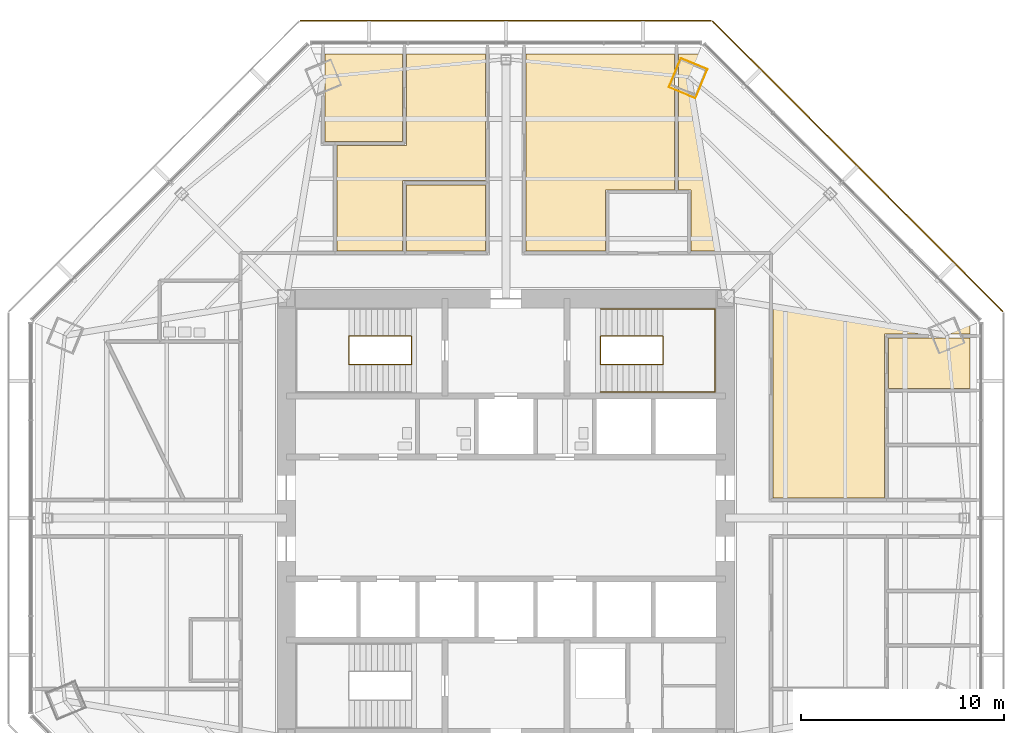
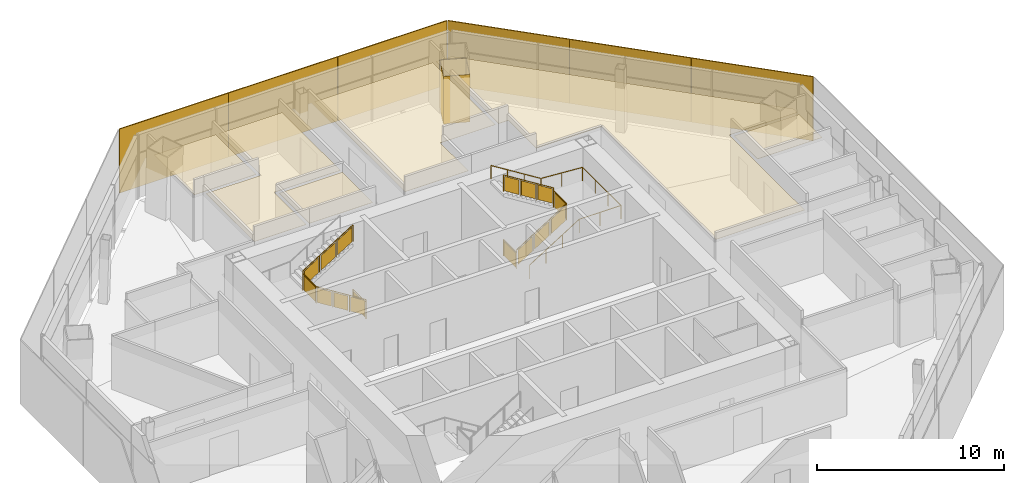
# One storey, part 14 of 15: 7 coverings, 6 shading devices, 3 railings.
"""IFC4 building model written with IfcOpenShell, lengths in metres."""

import ifcopenshell
import ifcopenshell.guid

model = None  # the IFC model being written
_history = None  # IfcOwnerHistory: only IFC2X3 demands one
_inside = {}  # id of a spatial element -> (the spatial element, [elements in it])
_under = {}  # id of a project, library or spatial element -> (it, [spatial elements below it])
_declared = {}  # id of a project -> (the project, [libraries it declares])
_typed = {}  # id of a type object -> (the type object, [elements of that type])
_made_of = {}  # id of a material, layer set ... -> (it, [elements and type objects made of it])


def new_model(schema):
    """Start an empty IFC model of exactly this schema.

    Asked for "IFC4X3", IfcOpenShell would pick the latest addendum, in which some entities
    have other attributes; the version numbers below select the first issue.
    IFC2X3 requires an IfcOwnerHistory on every rooted entity: one is made here for all.
    """
    global model, _history
    if schema == "IFC4X3":
        model = ifcopenshell.file(schema_version=(4, 3, 0, 0))
    else:
        model = ifcopenshell.file(schema=schema)
    _inside.clear()
    _under.clear()
    _declared.clear()
    _typed.clear()
    _made_of.clear()
    _history = None
    if model.schema == "IFC2X3":
        org = make("IfcOrganization", Name="unknown")
        user = make(
            "IfcPersonAndOrganization",
            ThePerson=make("IfcPerson", FamilyName="unknown"),
            TheOrganization=org,
        )
        app = make(
            "IfcApplication",
            ApplicationDeveloper=org,
            Version="unknown",
            ApplicationFullName="unknown",
            ApplicationIdentifier="unknown",
        )
        _history = make(
            "IfcOwnerHistory",
            OwningUser=user,
            OwningApplication=app,
            ChangeAction="ADDED",
            CreationDate=0,
        )
    return model


def make(cls, **values):
    """One entity of the class cls with the attributes given. An attribute that is None is left unset."""
    return model.create_entity(
        cls, **{name: value for name, value in values.items() if value is not None}
    )


def rooted(cls, **values):
    """An entity with a GlobalId (a new one), such as an element, a storey or a relation."""
    return make(cls, GlobalId=ifcopenshell.guid.new(), OwnerHistory=_history, **values)


def si_unit(unit_type, name, prefix=None):
    """IfcSIUnit, for example si_unit("LENGTHUNIT", "METRE", prefix="MILLI")."""
    return make("IfcSIUnit", UnitType=unit_type, Prefix=prefix, Name=name)


def assignment(units):
    """IfcUnitAssignment: the units of a project."""
    return None if units is None else make("IfcUnitAssignment", Units=units)


def point(xyz):
    """IfcCartesianPoint."""
    return None if xyz is None else make("IfcCartesianPoint", Coordinates=xyz)


def direction(xyz):
    """IfcDirection."""
    return None if xyz is None else make("IfcDirection", DirectionRatios=xyz)


def frame(location, z_axis=None, x_axis=None):
    """IfcAxis2Placement3D, a coordinate frame: its origin and axes. An axis left out is left unset."""
    return make(
        "IfcAxis2Placement3D",
        Location=point(location),
        Axis=direction(z_axis),
        RefDirection=direction(x_axis),
    )


def frame_2d(location, x_axis=None):
    """IfcAxis2Placement2D, a coordinate frame in the plane: its origin and x axis."""
    return make(
        "IfcAxis2Placement2D", Location=point(location), RefDirection=direction(x_axis)
    )


def origin():
    """The frame at (0, 0, 0) with its axes left unset."""
    return frame((0.0, 0.0, 0.0))


def origin_2d():
    """The frame at (0, 0) in the plane with its x axis left unset."""
    return frame_2d((0.0, 0.0))


def place(relative_to, where):
    """IfcLocalPlacement: puts the frame where relative to a parent placement (None: the world)."""
    return make(
        "IfcLocalPlacement", PlacementRelTo=relative_to, RelativePlacement=where
    )


def context(
    kind, dimensions, precision=None, world=None, true_north=None, identifier=None
):
    """IfcGeometricRepresentationContext, for example the 3D "Model" context."""
    return make(
        "IfcGeometricRepresentationContext",
        ContextIdentifier=identifier,
        ContextType=kind,
        CoordinateSpaceDimension=dimensions,
        Precision=precision,
        WorldCoordinateSystem=world,
        TrueNorth=true_north,
    )


def subcontext(parent, identifier, kind, view, scale=None):
    """IfcGeometricRepresentationSubContext, for example "Body" below "Model"."""
    return make(
        "IfcGeometricRepresentationSubContext",
        ContextIdentifier=identifier,
        ContextType=kind,
        ParentContext=parent,
        TargetScale=scale,
        TargetView=view,
    )


def project(units=None, contexts=None):
    """IfcProject with its units and contexts."""
    return rooted(
        "IfcProject",
        Name="project",
        RepresentationContexts=contexts,
        UnitsInContext=assignment(units),
    )


def spatial(cls, under=None, at=None, **own):
    """A site, building, storey or space (cls), placed at a placement, below another one or the project."""
    s = rooted(cls, ObjectPlacement=at, **own)
    if under is not None:
        _under.setdefault(under.id(), (under, []))[1].append(s)
    return s


def polyline(points):
    """IfcPolyline through the points."""
    return make("IfcPolyline", Points=[point(p) for p in points])


def profile(cls, at=None, kind="AREA", **sizes):
    """A parametric profile (cls). Its sizes go by their IFC names, for example OverallWidth=200.0."""
    return make(cls, ProfileType=kind, Position=at, **sizes)


def rectangle(**sizes):
    """IfcRectangleProfileDef."""
    return profile("IfcRectangleProfileDef", **sizes)


def circle(**sizes):
    """IfcCircleProfileDef."""
    return profile("IfcCircleProfileDef", **sizes)


def outline(outer, holes=None, kind="AREA"):
    """IfcArbitraryClosedProfileDef: a profile drawn as a closed curve; with holes, ...WithVoids."""
    if holes is None:
        return make("IfcArbitraryClosedProfileDef", ProfileType=kind, OuterCurve=outer)
    return make(
        "IfcArbitraryProfileDefWithVoids",
        ProfileType=kind,
        OuterCurve=outer,
        InnerCurves=holes,
    )


def extrude(swept, where, along, depth):
    """IfcExtrudedAreaSolid: the profile swept, set in the frame where, extruded along a direction by depth."""
    return make(
        "IfcExtrudedAreaSolid",
        SweptArea=swept,
        Position=where,
        ExtrudedDirection=direction(along),
        Depth=depth,
    )


def shape(context_of_items, identifier, shape_type, items):
    """IfcShapeRepresentation: the items that make up one representation, for example the "Body"."""
    return make(
        "IfcShapeRepresentation",
        ContextOfItems=context_of_items,
        RepresentationIdentifier=identifier,
        RepresentationType=shape_type,
        Items=items,
    )


def source(mapping_origin, context_of_items, identifier, shape_type, items):
    """IfcRepresentationMap: a shape defined once, which mapped items show again and again."""
    return make(
        "IfcRepresentationMap",
        MappingOrigin=mapping_origin,
        MappedRepresentation=shape(context_of_items, identifier, shape_type, items),
    )


def transform(
    local_origin,
    x_axis=None,
    y_axis=None,
    z_axis=None,
    scale=None,
    scale2=None,
    scale3=None,
    uniform=True,
):
    """IfcCartesianTransformationOperator3D, or its non-uniform kind. x_axis, y_axis, z_axis: its Axis1, 2, 3."""
    if uniform:
        return make(
            "IfcCartesianTransformationOperator3D",
            Axis1=direction(x_axis),
            Axis2=direction(y_axis),
            LocalOrigin=point(local_origin),
            Scale=scale,
            Axis3=direction(z_axis),
        )
    return make(
        "IfcCartesianTransformationOperator3DnonUniform",
        Axis1=direction(x_axis),
        Axis2=direction(y_axis),
        LocalOrigin=point(local_origin),
        Scale=scale,
        Axis3=direction(z_axis),
        Scale2=scale2,
        Scale3=scale3,
    )


def mapped(mapping_source, mapping_target):
    """IfcMappedItem: shows the shape of a source again, moved by a transform."""
    return make(
        "IfcMappedItem", MappingSource=mapping_source, MappingTarget=mapping_target
    )


def material(Name=None, Category=None):
    """IfcMaterial."""
    return make("IfcMaterial", Name=Name, Category=Category)


def layer(
    of_material, thickness, ventilated=None, Name=None, Category=None, Priority=None
):
    """IfcMaterialLayer: one layer of a wall or slab, of a material (None: an air gap)."""
    return make(
        "IfcMaterialLayer",
        Material=of_material,
        LayerThickness=thickness,
        IsVentilated=ventilated,
        Name=Name,
        Category=Category,
        Priority=Priority,
    )


def layer_set(layers, Name=None):
    """IfcMaterialLayerSet."""
    return make("IfcMaterialLayerSet", MaterialLayers=layers, LayerSetName=Name)


def made_of(thing, what):
    """Note that an element or type object is made of a material, layer set ...; save() writes the relation."""
    if what is not None:
        _made_of.setdefault(what.id(), (what, []))[1].append(thing)
    return thing


def type_object(cls, material=None, **own):
    """A type object (cls), such as IfcWallType, which elements share."""
    return made_of(rooted(cls, **own), material)


def type_shapes(of_type, sources):
    """Give a type object the sources (RepresentationMaps) that its elements show as mapped items."""
    of_type.RepresentationMaps = sources


def element(
    cls,
    number,
    at=None,
    inside=None,
    cuts=None,
    type_object=None,
    material=None,
    context=None,
    identifier="Body",
    shape_type=None,
    held_by="IfcProductDefinitionShape",
    body=None,
    shapes=None,
    **own,
):
    """One element of the class cls, such as IfcWall. Its Tag is "e" and its number.

    at: its placement. inside: the storey or other place that contains it. cuts: it is an
    opening in that element (IfcRelVoidsElement). A single representation is given by context,
    identifier, shape_type and body (its items); several are given by shapes. held_by: the class
    of the entity that holds the representations. save() writes the other relations.
    """
    e = rooted(cls, Tag="e%d" % number, ObjectPlacement=at, **own)
    if body is not None:
        shapes = [shape(context, identifier, shape_type, body)]
    if shapes is not None:
        e.Representation = make(held_by, Representations=shapes)
    if inside is not None:
        _inside.setdefault(inside.id(), (inside, []))[1].append(e)
    if cuts is not None:
        rooted(
            "IfcRelVoidsElement", RelatingBuildingElement=cuts, RelatedOpeningElement=e
        )
    if type_object is not None:
        _typed.setdefault(type_object.id(), (type_object, []))[1].append(e)
    return made_of(e, material)


def aggregate(whole, parts):
    """IfcRelAggregates: a whole, such as a stair, and the parts it consists of."""
    return rooted("IfcRelAggregates", RelatingObject=whole, RelatedObjects=parts)


def save(model, path):
    """Write the relations noted so far, then the file.

    IfcRelAggregates (storeys below a building ...), IfcRelContainedInSpatialStructure (elements
    in a storey), IfcRelDefinesByType, IfcRelAssociatesMaterial and IfcRelDeclares: one each for
    every whole, place, type object, material and project.
    """
    for whole, parts in _under.values():
        aggregate(whole, parts)
    for where, things in _inside.values():
        rooted(
            "IfcRelContainedInSpatialStructure",
            RelatedElements=things,
            RelatingStructure=where,
        )
    for kind, things in _typed.values():
        rooted("IfcRelDefinesByType", RelatedObjects=things, RelatingType=kind)
    for what, things in _made_of.values():
        rooted("IfcRelAssociatesMaterial", RelatedObjects=things, RelatingMaterial=what)
    for by, libraries in _declared.values():
        rooted("IfcRelDeclares", RelatingContext=by, RelatedDefinitions=libraries)
    model.write(path)


model = new_model("IFC4")

# Units and contexts
model_context = context("Model", 3, precision=1e-05, world=origin(), true_north=direction((0.0, 1.0)))
body_context = subcontext(model_context, "Body", "Model", "MODEL_VIEW")
ifc_project = project(units=[si_unit("LENGTHUNIT", "METRE"), si_unit("AREAUNIT", "SQUARE_METRE"), si_unit("VOLUMEUNIT", "CUBIC_METRE"), si_unit("PLANEANGLEUNIT", "RADIAN"), si_unit("MASSUNIT", "GRAM", prefix="KILO")], contexts=[model_context])

# Site, building, storey
site_placement = place(None, origin())
site = spatial("IfcSite", under=ifc_project, at=site_placement, CompositionType="ELEMENT")
building_placement = place(site_placement, origin())
building = spatial("IfcBuilding", under=site, at=building_placement, Name="Mashrafa Tower", CompositionType="ELEMENT")
storey_placement = place(building_placement, frame((0.0, 0.0, 163.800048828125)))
storey = spatial("IfcBuildingStorey", under=building, at=storey_placement, Name="L37", CompositionType="ELEMENT", Elevation=163.800048828125)

# Covering
ifc_material_1 = material(Name="Gypsum board")
ifc_layer_1 = layer(ifc_material_1, 0.014892578125)
ifc_layer_set_1 = layer_set([ifc_layer_1], Name="Column casing plasterboard 15")
covering_type_1 = type_object("IfcCoveringType", Name="Column casing plasterboard 15", PredefinedType="CLADDING", material=ifc_layer_set_1)
covering_1_placement = place(storey_placement, origin())
element("IfcCovering", 1, at=covering_1_placement, inside=storey, type_object=covering_type_1, Name="Column casing L37-001", PredefinedType="CLADDING", context=body_context, shape_type="SweptSolid", body=[
    extrude(outline(polyline([(8.006103515625, 21.19677734375), (8.06103515625, 21.329345703125), (8.602783203125, 22.63720703125), (9.923828125, 22.090087890625), (9.868896484375, 21.95751953125), (9.3271484375, 20.6494140625), (8.006103515625, 21.19677734375)]), holes=[polyline([(9.85498046875, 21.963134765625), (9.904296875, 22.08203125), (8.61083984375, 22.61767578125), (8.074951171875, 21.32373046875), (8.025634765625, 21.204833984375), (9.319091796875, 20.669189453125), (9.85498046875, 21.963134765625)])]), origin(), (0.0, 0.0, 1.0), 3.097900390625),
])

# Railings
ifc_material_2 = material(Name="Steel guard with glass infill", Category="steel")
railing_type_1 = type_object("IfcRailingType", Name="Stair guard 1100", PredefinedType="GUARDRAIL", material=ifc_material_2)
railing_1_placement = place(storey_placement, frame((-4.64990234375, 8.949951171875, 0.0)))
element("IfcRailing", 2, at=railing_1_placement, inside=storey, type_object=railing_type_1, Name="Stair S1 guard L37", PredefinedType="GUARDRAIL", context=body_context, shape_type="SweptSolid", body=[
    extrude(circle(Radius=0.02392578125, at=origin_2d()), frame((0.0, 0.0, 1.076171875), z_axis=(0.0, -1.0, 0.0), x_axis=(1.0, 0.0, 0.0)), (0.0, 0.0, 1.0), 1.39990234375),
    extrude(circle(Radius=0.02392578125, at=origin_2d()), frame((0.0, -1.39990234375, 1.076171875), z_axis=(0.0, 0.0, 1.0), x_axis=(1.0, 0.0, 0.0)), (0.0, 0.0, 1.0), 0.175048828125),
    extrude(circle(Radius=0.02392578125, at=origin_2d()), frame((0.0, -1.39990234375, 1.2509765625), z_axis=(-0.848028513186, 0.0, 0.529950602248), x_axis=(0.0, -1.0, 0.0)), (0.0, 0.0, 1.0), 3.632080078125),
    extrude(circle(Radius=0.02392578125, at=origin_2d()), frame((-3.080078125, -1.39990234375, 3.17578125), z_axis=(0.0, 1.0, 0.0), x_axis=(-1.0, 0.0, 0.0)), (0.0, 0.0, 1.0), 1.39990234375),
    extrude(circle(Radius=0.02392578125, at=origin_2d()), frame((-3.080078125, 0.0, 3.17578125), z_axis=(0.0, 0.0, 1.0), x_axis=(1.0, 0.0, 0.0)), (0.0, 0.0, 1.0), 0.175048828125),
    extrude(circle(Radius=0.02392578125, at=origin_2d()), frame((-3.080078125, 0.0, 3.35107421875), z_axis=(0.847998304005, 0.0, 0.529998940003), x_axis=(0.0, 1.0, 0.0)), (0.0, 0.0, 1.0), 3.632080078125),
    extrude(circle(Radius=0.02099609375, at=origin_2d()), origin(), (0.0, 0.0, 1.0), 1.052001953125),
    extrude(circle(Radius=0.02099609375, at=origin_2d()), frame((0.0, -1.39990234375, 0.0)), (0.0, 0.0, 1.0), 1.052001953125),
    extrude(circle(Radius=0.02099609375, at=origin_2d()), frame((0.0, -1.39990234375, 0.175048828125)), (0.0, 0.0, 1.0), 1.052001953125),
    extrude(circle(Radius=0.02099609375, at=origin_2d()), frame((-1.026611328125, -1.39990234375, 0.816650390625)), (0.0, 0.0, 1.0), 1.052001953125),
    extrude(circle(Radius=0.02099609375, at=origin_2d()), frame((-2.053466796875, -1.39990234375, 1.458251953125)), (0.0, 0.0, 1.0), 1.052001953125),
    extrude(circle(Radius=0.02099609375, at=origin_2d()), frame((-3.080078125, -1.39990234375, 2.099853515625)), (0.0, 0.0, 1.0), 1.052001953125),
    extrude(circle(Radius=0.02099609375, at=origin_2d()), frame((-3.080078125, 0.0, 2.099853515625)), (0.0, 0.0, 1.0), 1.052001953125),
    extrude(circle(Radius=0.02099609375, at=origin_2d()), frame((-3.080078125, 0.0, 2.27490234375)), (0.0, 0.0, 1.0), 1.052001953125),
    extrude(circle(Radius=0.02099609375, at=origin_2d()), frame((-2.053466796875, 0.0, 2.91650390625)), (0.0, 0.0, 1.0), 1.052001953125),
    extrude(circle(Radius=0.02099609375, at=origin_2d()), frame((-1.026611328125, 0.0, 3.558349609375)), (0.0, 0.0, 1.0), 1.052001953125),
    extrude(circle(Radius=0.02099609375, at=origin_2d()), frame((0.0, 0.0, 4.199951171875)), (0.0, 0.0, 1.0), 1.052001953125),
    extrude(outline(polyline([(0.071044921875, 0.050048828125), (1.328857421875, 0.050048828125), (1.328857421875, 1.001953125), (0.071044921875, 1.001953125), (0.071044921875, 0.050048828125)])), frame((-0.006103515625, 0.0, 0.0), z_axis=(-1.0, 0.0, 0.0), x_axis=(0.0, -1.0, 0.0)), (0.0, 0.0, 1.0), 0.011962890625),
    extrude(outline(polyline([(0.071044921875, 0.094482421875), (0.955810546875, 0.647216796875), (0.955810546875, 1.59912109375), (0.071044921875, 1.04638671875), (0.071044921875, 0.094482421875)])), frame((0.0, -1.393798828125, 0.175048828125), z_axis=(0.0, 1.0, 0.0), x_axis=(-1.0, 0.0, 0.0)), (0.0, 0.0, 1.0), 0.011962890625),
    extrude(outline(polyline([(1.09765625, 0.736083984375), (1.982421875, 1.288818359375), (1.982421875, 2.24072265625), (1.09765625, 1.68798828125), (1.09765625, 0.736083984375)])), frame((0.0, -1.393798828125, 0.175048828125), z_axis=(0.0, 1.0, 0.0), x_axis=(-1.0, 0.0, 0.0)), (0.0, 0.0, 1.0), 0.011962890625),
    extrude(outline(polyline([(2.124267578125, 1.377685546875), (3.009033203125, 1.930419921875), (3.009033203125, 2.88232421875), (2.124267578125, 2.32958984375), (2.124267578125, 1.377685546875)])), frame((0.0, -1.393798828125, 0.175048828125), z_axis=(0.0, 1.0, 0.0), x_axis=(-1.0, 0.0, 0.0)), (0.0, 0.0, 1.0), 0.011962890625),
    extrude(outline(polyline([(0.071044921875, 0.050048828125), (1.328857421875, 0.050048828125), (1.328857421875, 1.001953125), (0.071044921875, 1.001953125), (0.071044921875, 0.050048828125)])), frame((-3.073974609375, -1.39990234375, 2.099853515625), z_axis=(1.0, 0.0, 0.0), x_axis=(0.0, 1.0, 0.0)), (0.0, 0.0, 1.0), 0.011962890625),
    extrude(outline(polyline([(0.071044921875, 0.094482421875), (0.955810546875, 0.647216796875), (0.955810546875, 1.599365234375), (0.071044921875, 1.04638671875), (0.071044921875, 0.094482421875)])), frame((-3.080078125, -0.006103515625, 2.27490234375), z_axis=(0.0, -1.0, 0.0), x_axis=(1.0, 0.0, 0.0)), (0.0, 0.0, 1.0), 0.011962890625),
    extrude(outline(polyline([(1.09765625, 0.736083984375), (1.982421875, 1.2890625), (1.982421875, 2.240966796875), (1.09765625, 1.68798828125), (1.09765625, 0.736083984375)])), frame((-3.080078125, -0.006103515625, 2.27490234375), z_axis=(0.0, -1.0, 0.0), x_axis=(1.0, 0.0, 0.0)), (0.0, 0.0, 1.0), 0.011962890625),
    extrude(outline(polyline([(2.124267578125, 1.377685546875), (3.009033203125, 1.9306640625), (3.009033203125, 2.882568359375), (2.124267578125, 2.329833984375), (2.124267578125, 1.377685546875)])), frame((-3.080078125, -0.006103515625, 2.27490234375), z_axis=(0.0, -1.0, 0.0), x_axis=(1.0, 0.0, 0.0)), (0.0, 0.0, 1.0), 0.011962890625),
])
railing_2_placement = place(storey_placement, frame((4.64990234375, 8.949951171875, 0.0)))
element("IfcRailing", 3, at=railing_2_placement, inside=storey, type_object=railing_type_1, Name="Stair S2 guard L37", PredefinedType="GUARDRAIL", context=body_context, shape_type="SweptSolid", body=[
    extrude(circle(Radius=0.02392578125, at=origin_2d()), frame((0.0, 0.0, 1.076171875), z_axis=(0.0, -1.0, 0.0), x_axis=(1.0, 0.0, 0.0)), (0.0, 0.0, 1.0), 1.39990234375),
    extrude(circle(Radius=0.02392578125, at=origin_2d()), frame((0.0, -1.39990234375, 1.076171875), z_axis=(0.0, 0.0, 1.0), x_axis=(1.0, 0.0, 0.0)), (0.0, 0.0, 1.0), 0.175048828125),
    extrude(circle(Radius=0.02392578125, at=origin_2d()), frame((0.0, -1.39990234375, 1.2509765625), z_axis=(0.848028513186, 0.0, 0.529950602248), x_axis=(0.0, 1.0, 0.0)), (0.0, 0.0, 1.0), 3.632080078125),
    extrude(circle(Radius=0.02392578125, at=origin_2d()), frame((3.080078125, -1.39990234375, 3.17578125), z_axis=(0.0, 1.0, 0.0), x_axis=(-1.0, 0.0, 0.0)), (0.0, 0.0, 1.0), 1.39990234375),
    extrude(circle(Radius=0.02392578125, at=origin_2d()), frame((3.080078125, 0.0, 3.17578125), z_axis=(0.0, 0.0, 1.0), x_axis=(1.0, 0.0, 0.0)), (0.0, 0.0, 1.0), 0.175048828125),
    extrude(circle(Radius=0.02392578125, at=origin_2d()), frame((3.080078125, 0.0, 3.35107421875), z_axis=(-0.847998304005, 0.0, 0.529998940003), x_axis=(0.0, -1.0, 0.0)), (0.0, 0.0, 1.0), 3.632080078125),
    extrude(circle(Radius=0.02099609375, at=origin_2d()), origin(), (0.0, 0.0, 1.0), 1.052001953125),
    extrude(circle(Radius=0.02099609375, at=origin_2d()), frame((0.0, -1.39990234375, 0.0)), (0.0, 0.0, 1.0), 1.052001953125),
    extrude(circle(Radius=0.02099609375, at=origin_2d()), frame((0.0, -1.39990234375, 0.175048828125)), (0.0, 0.0, 1.0), 1.052001953125),
    extrude(circle(Radius=0.02099609375, at=origin_2d()), frame((1.026611328125, -1.39990234375, 0.816650390625)), (0.0, 0.0, 1.0), 1.052001953125),
    extrude(circle(Radius=0.02099609375, at=origin_2d()), frame((2.053466796875, -1.39990234375, 1.458251953125)), (0.0, 0.0, 1.0), 1.052001953125),
    extrude(circle(Radius=0.02099609375, at=origin_2d()), frame((3.080078125, -1.39990234375, 2.099853515625)), (0.0, 0.0, 1.0), 1.052001953125),
    extrude(circle(Radius=0.02099609375, at=origin_2d()), frame((3.080078125, 0.0, 2.099853515625)), (0.0, 0.0, 1.0), 1.052001953125),
    extrude(circle(Radius=0.02099609375, at=origin_2d()), frame((3.080078125, 0.0, 2.27490234375)), (0.0, 0.0, 1.0), 1.052001953125),
    extrude(circle(Radius=0.02099609375, at=origin_2d()), frame((2.053466796875, 0.0, 2.91650390625)), (0.0, 0.0, 1.0), 1.052001953125),
    extrude(circle(Radius=0.02099609375, at=origin_2d()), frame((1.026611328125, 0.0, 3.558349609375)), (0.0, 0.0, 1.0), 1.052001953125),
    extrude(circle(Radius=0.02099609375, at=origin_2d()), frame((0.0, 0.0, 4.199951171875)), (0.0, 0.0, 1.0), 1.052001953125),
    extrude(outline(polyline([(0.071044921875, 0.050048828125), (1.328857421875, 0.050048828125), (1.328857421875, 1.001953125), (0.071044921875, 1.001953125), (0.071044921875, 0.050048828125)])), frame((-0.006103515625, 0.0, 0.0), z_axis=(-1.0, 0.0, 0.0), x_axis=(0.0, -1.0, 0.0)), (0.0, 0.0, 1.0), 0.011962890625),
    extrude(outline(polyline([(0.071044921875, 0.094482421875), (0.955810546875, 0.647216796875), (0.955810546875, 1.59912109375), (0.071044921875, 1.04638671875), (0.071044921875, 0.094482421875)])), frame((0.0, -1.406005859375, 0.175048828125), z_axis=(0.0, -1.0, 0.0), x_axis=(1.0, 0.0, 0.0)), (0.0, 0.0, 1.0), 0.011962890625),
    extrude(outline(polyline([(1.09765625, 0.736083984375), (1.982421875, 1.288818359375), (1.982421875, 2.24072265625), (1.09765625, 1.68798828125), (1.09765625, 0.736083984375)])), frame((0.0, -1.406005859375, 0.175048828125), z_axis=(0.0, -1.0, 0.0), x_axis=(1.0, 0.0, 0.0)), (0.0, 0.0, 1.0), 0.011962890625),
    extrude(outline(polyline([(2.124267578125, 1.377685546875), (3.009033203125, 1.930419921875), (3.009033203125, 2.88232421875), (2.124267578125, 2.32958984375), (2.124267578125, 1.377685546875)])), frame((0.0, -1.406005859375, 0.175048828125), z_axis=(0.0, -1.0, 0.0), x_axis=(1.0, 0.0, 0.0)), (0.0, 0.0, 1.0), 0.011962890625),
    extrude(outline(polyline([(0.071044921875, 0.050048828125), (1.328857421875, 0.050048828125), (1.328857421875, 1.001953125), (0.071044921875, 1.001953125), (0.071044921875, 0.050048828125)])), frame((3.086181640625, -1.39990234375, 2.099853515625), z_axis=(1.0, 0.0, 0.0), x_axis=(0.0, 1.0, 0.0)), (0.0, 0.0, 1.0), 0.011962890625),
    extrude(outline(polyline([(0.071044921875, 0.094482421875), (0.955810546875, 0.647216796875), (0.955810546875, 1.599365234375), (0.071044921875, 1.04638671875), (0.071044921875, 0.094482421875)])), frame((3.080078125, 0.006103515625, 2.27490234375), z_axis=(0.0, 1.0, 0.0), x_axis=(-1.0, 0.0, 0.0)), (0.0, 0.0, 1.0), 0.011962890625),
    extrude(outline(polyline([(1.09765625, 0.736083984375), (1.982421875, 1.2890625), (1.982421875, 2.240966796875), (1.09765625, 1.68798828125), (1.09765625, 0.736083984375)])), frame((3.080078125, 0.006103515625, 2.27490234375), z_axis=(0.0, 1.0, 0.0), x_axis=(-1.0, 0.0, 0.0)), (0.0, 0.0, 1.0), 0.011962890625),
    extrude(outline(polyline([(2.124267578125, 1.377685546875), (3.009033203125, 1.9306640625), (3.009033203125, 2.882568359375), (2.124267578125, 2.329833984375), (2.124267578125, 1.377685546875)])), frame((3.080078125, 0.006103515625, 2.27490234375), z_axis=(0.0, 1.0, 0.0), x_axis=(-1.0, 0.0, 0.0)), (0.0, 0.0, 1.0), 0.011962890625),
])
ifc_material_3 = material(Name="Steel", Category="steel")
railing_type_2 = type_object("IfcRailingType", Name="Stair handrail 900", PredefinedType="HANDRAIL", material=ifc_material_3)
railing_3_placement = place(storey_placement, frame((4.64990234375, 6.199951171875, 0.175048828125)))
element("IfcRailing", 4, at=railing_3_placement, inside=storey, type_object=railing_type_2, Name="Stair S2 handrail L37", PredefinedType="HANDRAIL", context=body_context, shape_type="SweptSolid", body=[
    extrude(circle(Radius=0.02392578125, at=origin_2d()), frame((0.0, 0.0, 0.8759765625), z_axis=(0.848028513186, 0.0, 0.529950602248), x_axis=(0.0, 1.0, 0.0)), (0.0, 0.0, 1.0), 3.632080078125),
    extrude(circle(Radius=0.02392578125, at=origin_2d()), frame((3.080078125, 0.0, 2.80078125), z_axis=(1.0, 0.0, 0.0), x_axis=(0.0, 1.0, 0.0)), (0.0, 0.0, 1.0), 2.570068359375),
    extrude(circle(Radius=0.02392578125, at=origin_2d()), frame((5.650146484375, 0.0, 2.80078125), z_axis=(0.0, 1.0, 0.0), x_axis=(-1.0, 0.0, 0.0)), (0.0, 0.0, 1.0), 4.10009765625),
    extrude(circle(Radius=0.02392578125, at=origin_2d()), frame((5.650146484375, 4.10009765625, 2.80078125), z_axis=(-0.997688514158, 0.0, 0.067953136188), x_axis=(0.0, -1.0, 0.0)), (0.0, 0.0, 1.0), 2.575927734375),
    extrude(circle(Radius=0.02392578125, at=origin_2d()), frame((3.080078125, 4.10009765625, 2.9755859375), z_axis=(-0.847998304005, 0.0, 0.529998940003), x_axis=(0.0, -1.0, 0.0)), (0.0, 0.0, 1.0), 3.632080078125),
    extrude(circle(Radius=0.02099609375, at=origin_2d()), origin(), (0.0, 0.0, 1.0), 0.851806640625),
    extrude(circle(Radius=0.02099609375, at=origin_2d()), frame((1.026611328125, 0.0, 0.6416015625)), (0.0, 0.0, 1.0), 0.851806640625),
    extrude(circle(Radius=0.02099609375, at=origin_2d()), frame((2.053466796875, 0.0, 1.283203125)), (0.0, 0.0, 1.0), 0.851806640625),
    extrude(circle(Radius=0.02099609375, at=origin_2d()), frame((3.080078125, 0.0, 1.9248046875)), (0.0, 0.0, 1.0), 0.851806640625),
    extrude(circle(Radius=0.02099609375, at=origin_2d()), frame((4.365234375, 0.0, 1.9248046875)), (0.0, 0.0, 1.0), 0.851806640625),
    extrude(circle(Radius=0.02099609375, at=origin_2d()), frame((5.650146484375, 0.0, 1.9248046875)), (0.0, 0.0, 1.0), 0.851806640625),
    extrude(circle(Radius=0.02099609375, at=origin_2d()), frame((5.650146484375, 1.36669921875, 1.9248046875)), (0.0, 0.0, 1.0), 0.851806640625),
    extrude(circle(Radius=0.02099609375, at=origin_2d()), frame((5.650146484375, 2.7333984375, 1.9248046875)), (0.0, 0.0, 1.0), 0.851806640625),
    extrude(circle(Radius=0.02099609375, at=origin_2d()), frame((5.650146484375, 4.10009765625, 1.9248046875)), (0.0, 0.0, 1.0), 0.851806640625),
    extrude(circle(Radius=0.02099609375, at=origin_2d()), frame((4.365234375, 4.10009765625, 2.01220703125)), (0.0, 0.0, 1.0), 0.851806640625),
    extrude(circle(Radius=0.02099609375, at=origin_2d()), frame((3.080078125, 4.10009765625, 2.099853515625)), (0.0, 0.0, 1.0), 0.851806640625),
    extrude(circle(Radius=0.02099609375, at=origin_2d()), frame((2.053466796875, 4.10009765625, 2.741455078125)), (0.0, 0.0, 1.0), 0.851806640625),
    extrude(circle(Radius=0.02099609375, at=origin_2d()), frame((1.026611328125, 4.10009765625, 3.38330078125)), (0.0, 0.0, 1.0), 0.851806640625),
    extrude(circle(Radius=0.02099609375, at=origin_2d()), frame((0.0, 4.10009765625, 4.02490234375)), (0.0, 0.0, 1.0), 0.851806640625),
])

# Coverings
ifc_material_4 = material(Name="Mineral fibre tile on suspension grid")
ifc_layer_2 = layer(ifc_material_4, 0.014892578125)
ifc_layer_set_2 = layer_set([ifc_layer_2], Name="Suspended ceiling mineral tile 15")
covering_type_2 = type_object("IfcCoveringType", Name="Suspended ceiling mineral tile 15", PredefinedType="CEILING", material=ifc_layer_set_2)
covering_2_placement = place(storey_placement, frame((0.0, 0.0, 2.89990234375)))
element("IfcCovering", 5, at=covering_2_placement, inside=storey, type_object=covering_type_2, Name="Ceiling Reception 37-1", PredefinedType="CEILING", context=body_context, shape_type="SweptSolid", body=[
    extrude(outline(polyline([(-4.89990234375, 16.39990234375), (-1.0, 16.39990234375), (-1.0, 13.14990234375), (-4.89990234375, 13.14990234375), (-4.89990234375, 16.39990234375)])), origin(), (0.0, 0.0, 1.0), 0.01513671875),
])
covering_3_placement = place(storey_placement, frame((0.0, 0.0, 2.89990234375)))
element("IfcCovering", 6, at=covering_3_placement, inside=storey, type_object=covering_type_2, Name="Ceiling Meeting Room 37-1-NW2", PredefinedType="CEILING", context=body_context, shape_type="SweptSolid", body=[
    extrude(outline(polyline([(-8.89990234375, 22.8310546875), (-5.10009765625, 22.8310546875), (-5.10009765625, 18.531005859375), (-8.89990234375, 18.531005859375), (-8.89990234375, 22.8310546875)])), origin(), (0.0, 0.0, 1.0), 0.01513671875),
])
covering_4_placement = place(storey_placement, frame((0.0, 0.0, 2.89990234375)))
element("IfcCovering", 7, at=covering_4_placement, inside=storey, type_object=covering_type_2, Name="Ceiling Office 37-1-NE1-2", PredefinedType="CEILING", context=body_context, shape_type="SweptSolid", body=[
    extrude(outline(polyline([(18.8310546875, 8.864990234375), (22.8310546875, 8.864990234375), (22.8310546875, 6.376953125), (18.8310546875, 6.376953125), (18.8310546875, 8.864990234375)])), origin(), (0.0, 0.0, 1.0), 0.01513671875),
])
covering_5_placement = place(storey_placement, frame((0.0, 0.0, 2.89990234375)))
element("IfcCovering", 8, at=covering_5_placement, inside=storey, type_object=covering_type_2, Name="Ceiling Office Tenancy 37-1-NE1", PredefinedType="CEILING", context=body_context, shape_type="SweptSolid", body=[
    extrude(outline(polyline([(8.5, 16.14990234375), (8.5, 22.8310546875), (9.456787109375, 22.8310546875), (22.8310546875, 9.456787109375), (22.8310546875, 9.06494140625), (18.631103515625, 9.06494140625), (18.631103515625, 1.0), (13.14990234375, 1.0), (13.14990234375, 13.14990234375), (9.10009765625, 13.14990234375), (9.10009765625, 16.14990234375), (8.5, 16.14990234375)])), origin(), (0.0, 0.0, 1.0), 0.01513671875),
])
covering_6_placement = place(storey_placement, frame((0.0, 0.0, 2.89990234375)))
element("IfcCovering", 9, at=covering_6_placement, inside=storey, type_object=covering_type_2, Name="Ceiling Office Tenancy 37-2-NE2", PredefinedType="CEILING", context=body_context, shape_type="SweptSolid", body=[
    extrude(outline(polyline([(1.0, 22.8310546875), (8.300048828125, 22.8310546875), (8.300048828125, 16.14990234375), (4.89990234375, 16.14990234375), (4.89990234375, 13.14990234375), (1.0, 13.14990234375), (1.0, 22.8310546875)])), origin(), (0.0, 0.0, 1.0), 0.01513671875),
])
covering_7_placement = place(storey_placement, frame((0.0, 0.0, 2.89990234375)))
element("IfcCovering", 10, at=covering_7_placement, inside=storey, type_object=covering_type_2, Name="Ceiling Office Tenancy 37-1-NW2", PredefinedType="CEILING", context=body_context, shape_type="SweptSolid", body=[
    extrude(outline(polyline([(-8.300048828125, 13.14990234375), (-8.300048828125, 18.3310546875), (-4.89990234375, 18.3310546875), (-4.89990234375, 22.8310546875), (-1.0, 22.8310546875), (-1.0, 16.60009765625), (-5.10009765625, 16.60009765625), (-5.10009765625, 13.14990234375), (-8.300048828125, 13.14990234375)])), origin(), (0.0, 0.0, 1.0), 0.01513671875),
])

# Shading devices
ifc_material_5 = material(Name="Perforated aluminium plate, eight-point star pattern", Category="aluminium")
ifc_layer_3 = layer(ifc_material_5, 0.06005859375)
ifc_layer_set_3 = layer_set([ifc_layer_3], Name="Mashrabiya screen panel office zone 2, 40 percent open")
shading_device_type = type_object("IfcShadingDeviceType", Name="Mashrabiya screen panel office zone 2, 40 percent open", PredefinedType="SHUTTER", material=ifc_layer_set_3)
shared_shape = source(origin(), body_context, "Body", "SweptSolid", [
    extrude(rectangle(XDim=6.725341796875, YDim=0.06005859375, at=origin_2d()), origin(), (0.0, 0.0, 1.0), 4.179931640625),
])
type_shapes(shading_device_type, [shared_shape])
for number, where, z_axis, x_axis, name in (
    (11, (22.080322265625, 12.541015625, -0.14990234375), (0.0, 0.0, 1.0), (-0.707106781187, 0.707106781187, 0.0), "Mashrabiya screen L37 north-east 1"),
    (12, (17.310791015625, 17.310791015625, -0.14990234375), (0.0, 0.0, 1.0), (-0.707106781187, 0.707106781187, 0.0), "Mashrabiya screen L37 north-east 2"),
    (13, (12.541015625, 22.080322265625, -0.14990234375), (0.0, 0.0, 1.0), (-0.707106781187, 0.707106781187, 0.0), "Mashrabiya screen L37 north-east 3"),
    (14, (6.745361328125, 24.48095703125, -0.14990234375), (0.0, 0.0, 1.0), (-1.0, 0.0, 0.0), "Mashrabiya screen L37 north 1"),
    (15, (0.0, 24.48095703125, -0.14990234375), (0.0, 0.0, 1.0), (-1.0, 0.0, 0.0), "Mashrabiya screen L37 north 2"),
    (16, (-6.745361328125, 24.48095703125, -0.14990234375), (0.0, 0.0, 1.0), (-1.0, 0.0, 0.0), "Mashrabiya screen L37 north 3"),
):
    element("IfcShadingDevice", number, at=place(storey_placement, frame(where, z_axis=z_axis, x_axis=x_axis)), inside=storey, type_object=shading_device_type, Name=name, PredefinedType="SHUTTER", context=body_context, shape_type="MappedRepresentation", body=[
        mapped(shared_shape, transform((0.0, 0.0, 0.0))),
    ])

save(model, "model.ifc")
